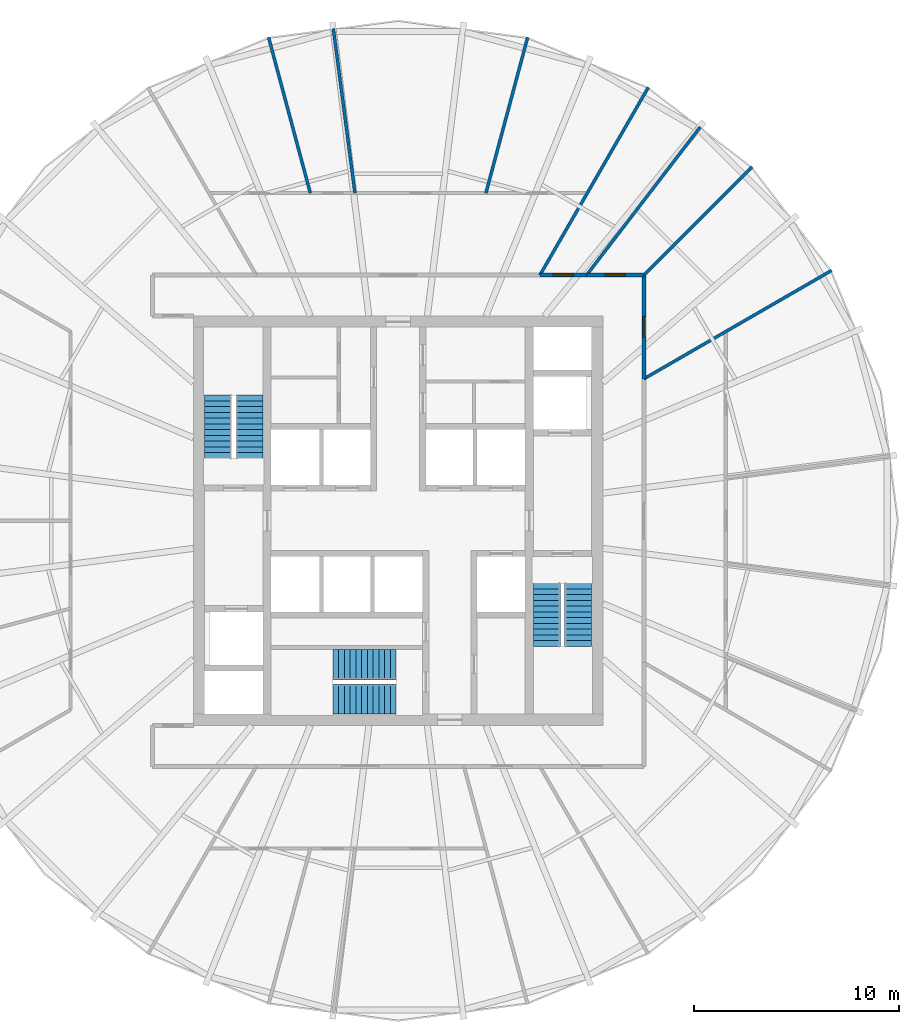
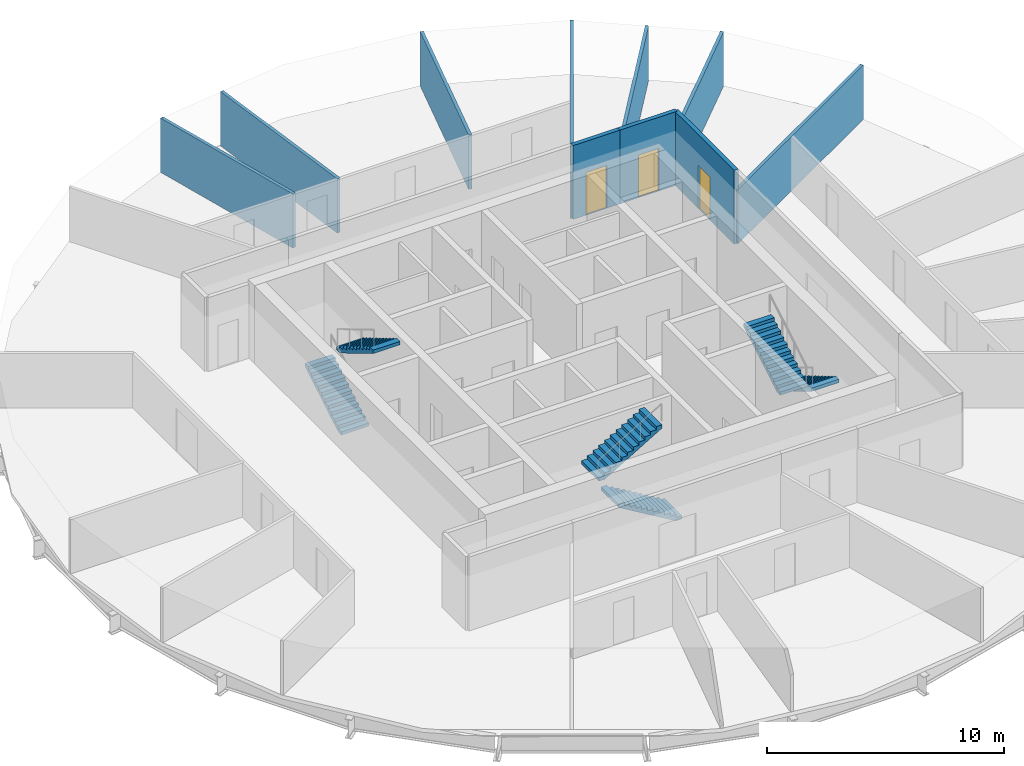
# One storey, part 5 of 6: 10 walls, 6 stair flights, 3 doors, 3 openings, 3 elements without a shape of their own.
"""IFC4 building model written with IfcOpenShell, lengths in metres."""

from ifc_helpers import new_model, si_unit, direction, frame, frame_2d, origin, place, context, subcontext, project, spatial, polyline, rectangle, outline, extrude, material, layer, layer_set, type_object, element, fill, aggregate, save


model = new_model("IFC4")

# Units and contexts
model_context = context("Model", 3, precision=1e-05, world=origin(), true_north=direction((0.0, 1.0)))
body_context = subcontext(model_context, "Body", "Model", "MODEL_VIEW")
ifc_project = project(units=[si_unit("LENGTHUNIT", "METRE"), si_unit("AREAUNIT", "SQUARE_METRE"), si_unit("VOLUMEUNIT", "CUBIC_METRE"), si_unit("PLANEANGLEUNIT", "RADIAN"), si_unit("MASSUNIT", "GRAM", prefix="KILO")], contexts=[model_context])

# Site, building, storey
site_placement = place(None, origin())
site = spatial("IfcSite", under=ifc_project, at=site_placement, CompositionType="ELEMENT")
building_placement = place(site_placement, origin())
building = spatial("IfcBuilding", under=site, at=building_placement, Name="Golbaran Civic Tower", CompositionType="ELEMENT")
storey_placement = place(building_placement, frame((0.0, 0.0, 126.0)))
storey = spatial("IfcBuildingStorey", under=building, at=storey_placement, Name="L30", CompositionType="ELEMENT", Elevation=126.0)

# Wall, opening, door
ifc_material_1 = material(Name="Gypsum board on steel studs, fire-rated", Category="steel")
ifc_layer_1 = layer(ifc_material_1, 0.199951171875, Name="Gypsum board on steel studs, fire-rated")
ifc_layer_set_1 = layer_set([ifc_layer_1], Name="Gypsum board on steel studs, fire-rated")
wall_type_1 = type_object("IfcWallType", Name="CORRIDOR WALL 200", PredefinedType="PARTITIONING", material=ifc_layer_set_1)
wall_1_placement = place(storey_placement, frame((12.0, 6.92822265625, 0.0), z_axis=(0.0, 0.0, 1.0), x_axis=(0.0, 1.0, 0.0)))
wall_1 = element("IfcWall", 1, at=wall_1_placement, inside=storey, type_object=wall_type_1, Name="Corridor wall L30", PredefinedType="PARTITIONING", context=body_context, shape_type="SweptSolid", body=[
    extrude(rectangle(XDim=5.07177734375, YDim=0.199951171875, at=frame_2d((2.535888671875, 0.0))), origin(), (0.0, 0.0, 1.0), 3.800048828125),
])
opening_1_placement = place(wall_1_placement, frame((2.035888671875, 0.0, 0.0)))
opening_1 = element("IfcOpeningElement", 2, at=opening_1_placement, cuts=wall_1, Name="Opening L30.17", PredefinedType="OPENING", context=body_context, shape_type="SweptSolid", body=[
    extrude(rectangle(XDim=1.0, YDim=2.199951171875, at=frame_2d((0.5, 1.10009765625))), frame((0.0, 0.10986328125, 0.0), z_axis=(0.0, -1.0, 0.0), x_axis=(1.0, 0.0, 0.0)), (0.0, 0.0, 1.0), 0.219970703125),
])
ifc_material_2 = material(Name="Timber door set in steel frame", Category="steel")
door_type = type_object("IfcDoorType", Name="OFFICE DOOR 1000x2200", OperationType="SINGLE_SWING_LEFT", PredefinedType="DOOR", material=ifc_material_2)
door_1_placement = place(opening_1_placement, origin())
door_1 = element("IfcDoor", 3, at=door_1_placement, inside=storey, type_object=door_type, Name="Pantry door L30", OperationType="SINGLE_SWING_LEFT", OverallHeight=2.199951171875, OverallWidth=1.0, PredefinedType="DOOR", context=body_context, shape_type="SweptSolid", body=[
    extrude(rectangle(XDim=1.0, YDim=2.199951171875, at=frame_2d((0.5, 1.10009765625))), frame((0.0, 0.02490234375, 0.0), z_axis=(0.0, -1.0, 0.0), x_axis=(1.0, 0.0, 0.0)), (0.0, 0.0, 1.0), 0.050048828125),
])
fill(opening_1, door_1)

wall_2_placement = place(storey_placement, frame((12.0, 12.0, 0.0), z_axis=(0.0, 0.0, 1.0), x_axis=(-1.0, 0.0, 0.0)))
wall_2 = element("IfcWall", 4, at=wall_2_placement, inside=storey, type_object=wall_type_1, Name="Corridor wall L30", PredefinedType="PARTITIONING", context=body_context, shape_type="SweptSolid", body=[
    extrude(rectangle(XDim=2.7919921875, YDim=0.199951171875, at=frame_2d((1.39599609375, 0.0))), origin(), (0.0, 0.0, 1.0), 3.800048828125),
])
opening_2_placement = place(wall_2_placement, frame((0.89599609375, 0.0, 0.0)))
opening_2 = element("IfcOpeningElement", 5, at=opening_2_placement, cuts=wall_2, Name="Opening L30.18", PredefinedType="OPENING", context=body_context, shape_type="SweptSolid", body=[
    extrude(rectangle(XDim=1.0, YDim=2.199951171875, at=frame_2d((0.5, 1.10009765625))), frame((0.0, 0.10986328125, 0.0), z_axis=(0.0, -1.0, 0.0), x_axis=(1.0, 0.0, 0.0)), (0.0, 0.0, 1.0), 0.219970703125),
])
door_2_placement = place(opening_2_placement, origin())
door_2 = element("IfcDoor", 6, at=door_2_placement, inside=storey, type_object=door_type, Name="Quiet Room door L30", OperationType="SINGLE_SWING_RIGHT", OverallHeight=2.199951171875, OverallWidth=1.0, PredefinedType="DOOR", context=body_context, shape_type="SweptSolid", body=[
    extrude(rectangle(XDim=1.0, YDim=2.199951171875, at=frame_2d((0.5, 1.10009765625))), frame((0.0, 0.02490234375, 0.0), z_axis=(0.0, -1.0, 0.0), x_axis=(1.0, 0.0, 0.0)), (0.0, 0.0, 1.0), 0.050048828125),
])
fill(opening_2, door_2)

wall_3_placement = place(storey_placement, frame((9.2080078125, 12.0, 0.0), z_axis=(0.0, 0.0, 1.0), x_axis=(-1.0, 0.0, 0.0)))
wall_3 = element("IfcWall", 7, at=wall_3_placement, inside=storey, type_object=wall_type_1, Name="Corridor wall L30", PredefinedType="PARTITIONING", context=body_context, shape_type="SweptSolid", body=[
    extrude(rectangle(XDim=2.27978515625, YDim=0.199951171875, at=frame_2d((1.139892578125, 0.0))), origin(), (0.0, 0.0, 1.0), 3.800048828125),
])
opening_3_placement = place(wall_3_placement, frame((0.639892578125, 0.0, 0.0)))
opening_3 = element("IfcOpeningElement", 8, at=opening_3_placement, cuts=wall_3, Name="Opening L30.19", PredefinedType="OPENING", context=body_context, shape_type="SweptSolid", body=[
    extrude(rectangle(XDim=1.0, YDim=2.199951171875, at=frame_2d((0.5, 1.10009765625))), frame((0.0, 0.10986328125, 0.0), z_axis=(0.0, -1.0, 0.0), x_axis=(1.0, 0.0, 0.0)), (0.0, 0.0, 1.0), 0.219970703125),
])
door_3_placement = place(opening_3_placement, origin())
door_3 = element("IfcDoor", 9, at=door_3_placement, inside=storey, type_object=door_type, Name="Prayer Room door L30", OperationType="SINGLE_SWING_RIGHT", OverallHeight=2.199951171875, OverallWidth=1.0, PredefinedType="DOOR", context=body_context, shape_type="SweptSolid", body=[
    extrude(rectangle(XDim=1.0, YDim=2.199951171875, at=frame_2d((0.5, 1.10009765625))), frame((0.0, 0.02490234375, 0.0), z_axis=(0.0, -1.0, 0.0), x_axis=(1.0, 0.0, 0.0)), (0.0, 0.0, 1.0), 0.050048828125),
])
fill(opening_3, door_3)

# Walls
ifc_material_3 = material(Name="Gypsum board on steel studs", Category="steel")
ifc_layer_2 = layer(ifc_material_3, 0.14990234375, Name="Gypsum board on steel studs")
ifc_layer_set_2 = layer_set([ifc_layer_2], Name="Gypsum board on steel studs")
wall_type_2 = type_object("IfcWallType", Name="OFFICE PARTITION 150", PredefinedType="PARTITIONING", material=ifc_layer_set_2)
wall_4_placement = place(storey_placement, frame((12.0, 6.92822265625, 0.0), z_axis=(0.0, 0.0, 1.0), x_axis=(0.866023526577, 0.500003251404, 0.0)))
element("IfcWall", 10, at=wall_4_placement, inside=storey, type_object=wall_type_2, Name="Partition 30 L30", PredefinedType="PARTITIONING", context=body_context, shape_type="SweptSolid", body=[
    extrude(rectangle(XDim=10.5869140625, YDim=0.14990234375, at=frame_2d((5.29345703125, 0.0))), origin(), (0.0, 0.0, 1.0), 2.7900390625),
])
wall_5_placement = place(storey_placement, frame((12.0, 12.0, 0.0), z_axis=(0.0, 0.0, 1.0), x_axis=(0.707106781187, 0.707106781187, 0.0)))
element("IfcWall", 11, at=wall_5_placement, inside=storey, type_object=wall_type_2, Name="Partition 45 L30", PredefinedType="PARTITIONING", context=body_context, shape_type="SweptSolid", body=[
    extrude(rectangle(XDim=7.47265625, YDim=0.14990234375, at=frame_2d((3.736328125, 0.0))), origin(), (0.0, 0.0, 1.0), 2.7900390625),
])
wall_6_placement = place(storey_placement, frame((9.2080078125, 12.0, 0.0), z_axis=(0.0, 0.0, 1.0), x_axis=(0.608742676865, 0.793367728965, 0.0)))
element("IfcWall", 12, at=wall_6_placement, inside=storey, type_object=wall_type_2, Name="Partition 52.5 L30", PredefinedType="PARTITIONING", context=body_context, shape_type="SweptSolid", body=[
    extrude(rectangle(XDim=9.1083984375, YDim=0.14990234375, at=frame_2d((4.55419921875, 0.0))), origin(), (0.0, 0.0, 1.0), 2.7900390625),
])
wall_7_placement = place(storey_placement, frame((6.92822265625, 12.0, 0.0), z_axis=(0.0, 0.0, 1.0), x_axis=(0.500003251404, 0.866023526577, 0.0)))
element("IfcWall", 13, at=wall_7_placement, inside=storey, type_object=wall_type_2, Name="Partition 60 L30", PredefinedType="PARTITIONING", context=body_context, shape_type="SweptSolid", body=[
    extrude(rectangle(XDim=10.5869140625, YDim=0.14990234375, at=frame_2d((5.29345703125, 0.0))), origin(), (0.0, 0.0, 1.0), 2.7900390625),
])
wall_8_placement = place(storey_placement, frame((4.287109375, 16.0, 0.0), z_axis=(0.0, 0.0, 1.0), x_axis=(0.258833147156, 0.965922047545, 0.0)))
element("IfcWall", 14, at=wall_8_placement, inside=storey, type_object=wall_type_2, Name="Partition 75 L30", PredefinedType="PARTITIONING", context=body_context, shape_type="SweptSolid", body=[
    extrude(rectangle(XDim=7.87890625, YDim=0.14990234375, at=frame_2d((3.939453125, 0.0))), origin(), (0.0, 0.0, 1.0), 2.7900390625),
])
wall_9_placement = place(storey_placement, frame((-2.1064453125, 16.0, 0.0), z_axis=(0.0, 0.0, 1.0), x_axis=(-0.130512236494, 0.99144669858, 0.0)))
element("IfcWall", 15, at=wall_9_placement, inside=storey, type_object=wall_type_2, Name="Partition 97.5 L30", PredefinedType="PARTITIONING", context=body_context, shape_type="SweptSolid", body=[
    extrude(rectangle(XDim=8.09619140625, YDim=0.14990234375, at=frame_2d((4.048095703125, 0.0))), origin(), (0.0, 0.0, 1.0), 2.7900390625),
])
wall_10_placement = place(storey_placement, frame((-4.287109375, 16.0, 0.0), z_axis=(0.0, 0.0, 1.0), x_axis=(-0.258833147156, 0.965922047545, 0.0)))
element("IfcWall", 16, at=wall_10_placement, inside=storey, type_object=wall_type_2, Name="Partition 105 L30", PredefinedType="PARTITIONING", context=body_context, shape_type="SweptSolid", body=[
    extrude(rectangle(XDim=7.87890625, YDim=0.14990234375, at=frame_2d((3.939453125, 0.0))), origin(), (0.0, 0.0, 1.0), 2.7900390625),
])

# Stair, stair flights
ifc_material_4 = material(Name="Concrete C35/45", Category="concrete")
stair_type_1 = type_object("IfcStairType", Name="EXIT STAIR 2850 x 7700, 4000 RISE", PredefinedType="HALF_TURN_STAIR", material=ifc_material_4)
stair_1_placement = place(storey_placement, origin())
stair_1 = element("IfcStair", 17, at=stair_1_placement, inside=storey, type_object=stair_type_1, Name="Stair S1 L30", PredefinedType="HALF_TURN_STAIR")
stair_flight_type_1 = type_object("IfcStairFlightType", Name="STAIR FLIGHT 1325 WIDE", PredefinedType="STRAIGHT", material=ifc_material_4)
stair_flight_1_placement = place(storey_placement, frame((-8.78759765625, 3.050048828125, 0.0), z_axis=(0.0, 0.0, 1.0), x_axis=(0.0, 1.0, 0.0)))
stair_flight_1 = element("IfcStairFlight", 18, at=stair_flight_1_placement, type_object=stair_flight_type_1, Name="ST28577-40 flight 1", NumberOfRisers=12, NumberOfTreads=11, PredefinedType="STRAIGHT", RiserHeight=0.166666667, TreadLength=0.28, context=body_context, shape_type="SweptSolid", body=[
    extrude(outline(polyline([(0.0, 0.0), (0.0, 0.166748046875), (0.280029296875, 0.166748046875), (0.280029296875, 0.333251953125), (0.56005859375, 0.333251953125), (0.56005859375, 0.5), (0.840087890625, 0.5), (0.840087890625, 0.666748046875), (1.1201171875, 0.666748046875), (1.1201171875, 0.833251953125), (1.39990234375, 0.833251953125), (1.39990234375, 1.0), (1.679931640625, 1.0), (1.679931640625, 1.166748046875), (1.9599609375, 1.166748046875), (1.9599609375, 1.333251953125), (2.239990234375, 1.333251953125), (2.239990234375, 1.5), (2.52001953125, 1.5), (2.52001953125, 1.666748046875), (2.800048828125, 1.666748046875), (2.800048828125, 1.833251953125), (3.080078125, 1.833251953125), (3.080078125, 2.0), (3.080078125, 1.658935546875), (0.29296875, 0.0), (0.0, 0.0)])), frame((0.0, 0.66259765625, 0.0), z_axis=(0.0, -1.0, 0.0), x_axis=(1.0, 0.0, 0.0)), (0.0, 0.0, 1.0), 1.324951171875),
])
stair_flight_2_placement = place(storey_placement, frame((-7.262451171875, 6.1298828125, 2.0), z_axis=(0.0, 0.0, 1.0), x_axis=(0.0, -1.0, 0.0)))
stair_flight_2 = element("IfcStairFlight", 19, at=stair_flight_2_placement, type_object=stair_flight_type_1, Name="ST28577-40 flight 2", NumberOfRisers=12, NumberOfTreads=11, PredefinedType="STRAIGHT", RiserHeight=0.166666667, TreadLength=0.28, context=body_context, shape_type="SweptSolid", body=[
    extrude(outline(polyline([(0.0, 0.0), (0.0, 0.166748046875), (0.280029296875, 0.166748046875), (0.280029296875, 0.333251953125), (0.56005859375, 0.333251953125), (0.56005859375, 0.5), (0.840087890625, 0.5), (0.840087890625, 0.666748046875), (1.1201171875, 0.666748046875), (1.1201171875, 0.833251953125), (1.39990234375, 0.833251953125), (1.39990234375, 1.0), (1.679931640625, 1.0), (1.679931640625, 1.166748046875), (1.9599609375, 1.166748046875), (1.9599609375, 1.333251953125), (2.239990234375, 1.333251953125), (2.239990234375, 1.5), (2.52001953125, 1.5), (2.52001953125, 1.666748046875), (2.800048828125, 1.666748046875), (2.800048828125, 1.833251953125), (3.080078125, 1.833251953125), (3.080078125, 2.0), (3.080078125, 1.658935546875), (0.29296875, 0.0), (0.0, 0.0)])), frame((0.0, 0.66259765625, 0.0), z_axis=(0.0, -1.0, 0.0), x_axis=(1.0, 0.0, 0.0)), (0.0, 0.0, 1.0), 1.324951171875),
])
aggregate(stair_1, [stair_flight_1, stair_flight_2])

stair_2_placement = place(storey_placement, origin())
stair_2 = element("IfcStair", 20, at=stair_2_placement, inside=storey, type_object=stair_type_1, Name="Stair S2 L30", PredefinedType="HALF_TURN_STAIR")
stair_flight_3_placement = place(storey_placement, frame((8.78759765625, -3.050048828125, 0.0), z_axis=(0.0, 0.0, 1.0), x_axis=(0.0, -1.0, 0.0)))
stair_flight_3 = element("IfcStairFlight", 21, at=stair_flight_3_placement, type_object=stair_flight_type_1, Name="ST28577-40 flight 1", NumberOfRisers=12, NumberOfTreads=11, PredefinedType="STRAIGHT", RiserHeight=0.166666667, TreadLength=0.28, context=body_context, shape_type="SweptSolid", body=[
    extrude(outline(polyline([(0.0, 0.0), (0.0, 0.166748046875), (0.280029296875, 0.166748046875), (0.280029296875, 0.333251953125), (0.56005859375, 0.333251953125), (0.56005859375, 0.5), (0.840087890625, 0.5), (0.840087890625, 0.666748046875), (1.1201171875, 0.666748046875), (1.1201171875, 0.833251953125), (1.39990234375, 0.833251953125), (1.39990234375, 1.0), (1.679931640625, 1.0), (1.679931640625, 1.166748046875), (1.9599609375, 1.166748046875), (1.9599609375, 1.333251953125), (2.239990234375, 1.333251953125), (2.239990234375, 1.5), (2.52001953125, 1.5), (2.52001953125, 1.666748046875), (2.800048828125, 1.666748046875), (2.800048828125, 1.833251953125), (3.080078125, 1.833251953125), (3.080078125, 2.0), (3.080078125, 1.658935546875), (0.29296875, 0.0), (0.0, 0.0)])), frame((0.0, 0.66259765625, 0.0), z_axis=(0.0, -1.0, 0.0), x_axis=(1.0, 0.0, 0.0)), (0.0, 0.0, 1.0), 1.324951171875),
])
stair_flight_4_placement = place(storey_placement, frame((7.262451171875, -6.1298828125, 2.0), z_axis=(0.0, 0.0, 1.0), x_axis=(0.0, 1.0, 0.0)))
stair_flight_4 = element("IfcStairFlight", 22, at=stair_flight_4_placement, type_object=stair_flight_type_1, Name="ST28577-40 flight 2", NumberOfRisers=12, NumberOfTreads=11, PredefinedType="STRAIGHT", RiserHeight=0.166666667, TreadLength=0.28, context=body_context, shape_type="SweptSolid", body=[
    extrude(outline(polyline([(0.0, 0.0), (0.0, 0.166748046875), (0.280029296875, 0.166748046875), (0.280029296875, 0.333251953125), (0.56005859375, 0.333251953125), (0.56005859375, 0.5), (0.840087890625, 0.5), (0.840087890625, 0.666748046875), (1.1201171875, 0.666748046875), (1.1201171875, 0.833251953125), (1.39990234375, 0.833251953125), (1.39990234375, 1.0), (1.679931640625, 1.0), (1.679931640625, 1.166748046875), (1.9599609375, 1.166748046875), (1.9599609375, 1.333251953125), (2.239990234375, 1.333251953125), (2.239990234375, 1.5), (2.52001953125, 1.5), (2.52001953125, 1.666748046875), (2.800048828125, 1.666748046875), (2.800048828125, 1.833251953125), (3.080078125, 1.833251953125), (3.080078125, 2.0), (3.080078125, 1.658935546875), (0.29296875, 0.0), (0.0, 0.0)])), frame((0.0, 0.66259765625, 0.0), z_axis=(0.0, -1.0, 0.0), x_axis=(1.0, 0.0, 0.0)), (0.0, 0.0, 1.0), 1.324951171875),
])
aggregate(stair_2, [stair_flight_3, stair_flight_4])

stair_type_2 = type_object("IfcStairType", Name="EXIT STAIR 3150 x 7400, 4000 RISE", PredefinedType="HALF_TURN_STAIR", material=ifc_material_4)
stair_3_placement = place(storey_placement, origin())
stair_3 = element("IfcStair", 23, at=stair_3_placement, inside=storey, type_object=stair_type_2, Name="Stair S3 L30", PredefinedType="HALF_TURN_STAIR")
stair_flight_type_2 = type_object("IfcStairFlightType", Name="STAIR FLIGHT 1475 WIDE", PredefinedType="STRAIGHT", material=ifc_material_4)
stair_flight_5_placement = place(storey_placement, frame((-0.10009765625, -8.71240234375, 0.0), z_axis=(0.0, 0.0, 1.0), x_axis=(-1.0, 0.0, 0.0)))
stair_flight_5 = element("IfcStairFlight", 24, at=stair_flight_5_placement, type_object=stair_flight_type_2, Name="ST31574-40 flight 1", NumberOfRisers=12, NumberOfTreads=11, PredefinedType="STRAIGHT", RiserHeight=0.166666667, TreadLength=0.28, context=body_context, shape_type="SweptSolid", body=[
    extrude(outline(polyline([(0.0, 0.0), (0.0, 0.166748046875), (0.280029296875, 0.166748046875), (0.280029296875, 0.333251953125), (0.56005859375, 0.333251953125), (0.56005859375, 0.5), (0.840087890625, 0.5), (0.840087890625, 0.666748046875), (1.1201171875, 0.666748046875), (1.1201171875, 0.833251953125), (1.39990234375, 0.833251953125), (1.39990234375, 1.0), (1.679931640625, 1.0), (1.679931640625, 1.166748046875), (1.9599609375, 1.166748046875), (1.9599609375, 1.333251953125), (2.239990234375, 1.333251953125), (2.239990234375, 1.5), (2.52001953125, 1.5), (2.52001953125, 1.666748046875), (2.800048828125, 1.666748046875), (2.800048828125, 1.833251953125), (3.080078125, 1.833251953125), (3.080078125, 2.0), (3.080078125, 1.658935546875), (0.29296875, 0.0), (0.0, 0.0)])), frame((0.0, 0.737548828125, 0.0), z_axis=(0.0, -1.0, 0.0), x_axis=(1.0, 0.0, 0.0)), (0.0, 0.0, 1.0), 1.47509765625),
])
stair_flight_6_placement = place(storey_placement, frame((-3.179931640625, -7.03759765625, 2.0), z_axis=(0.0, 0.0, 1.0), x_axis=(1.0, 0.0, 0.0)))
stair_flight_6 = element("IfcStairFlight", 25, at=stair_flight_6_placement, type_object=stair_flight_type_2, Name="ST31574-40 flight 2", NumberOfRisers=12, NumberOfTreads=11, PredefinedType="STRAIGHT", RiserHeight=0.166666667, TreadLength=0.28, context=body_context, shape_type="SweptSolid", body=[
    extrude(outline(polyline([(0.0, 0.0), (0.0, 0.166748046875), (0.280029296875, 0.166748046875), (0.280029296875, 0.333251953125), (0.56005859375, 0.333251953125), (0.56005859375, 0.5), (0.840087890625, 0.5), (0.840087890625, 0.666748046875), (1.1201171875, 0.666748046875), (1.1201171875, 0.833251953125), (1.39990234375, 0.833251953125), (1.39990234375, 1.0), (1.679931640625, 1.0), (1.679931640625, 1.166748046875), (1.9599609375, 1.166748046875), (1.9599609375, 1.333251953125), (2.239990234375, 1.333251953125), (2.239990234375, 1.5), (2.52001953125, 1.5), (2.52001953125, 1.666748046875), (2.800048828125, 1.666748046875), (2.800048828125, 1.833251953125), (3.080078125, 1.833251953125), (3.080078125, 2.0), (3.080078125, 1.658935546875), (0.29296875, 0.0), (0.0, 0.0)])), frame((0.0, 0.737548828125, 0.0), z_axis=(0.0, -1.0, 0.0), x_axis=(1.0, 0.0, 0.0)), (0.0, 0.0, 1.0), 1.47509765625),
])
aggregate(stair_3, [stair_flight_5, stair_flight_6])

save(model, "model.ifc")
